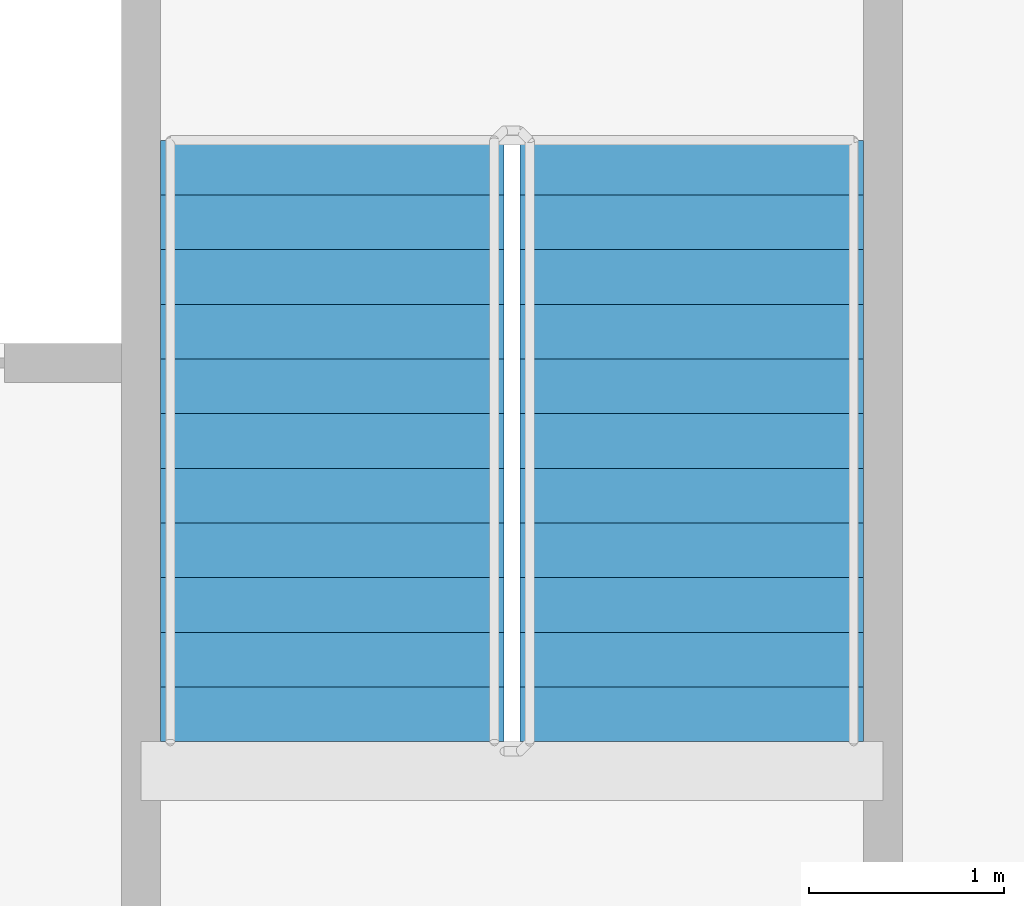
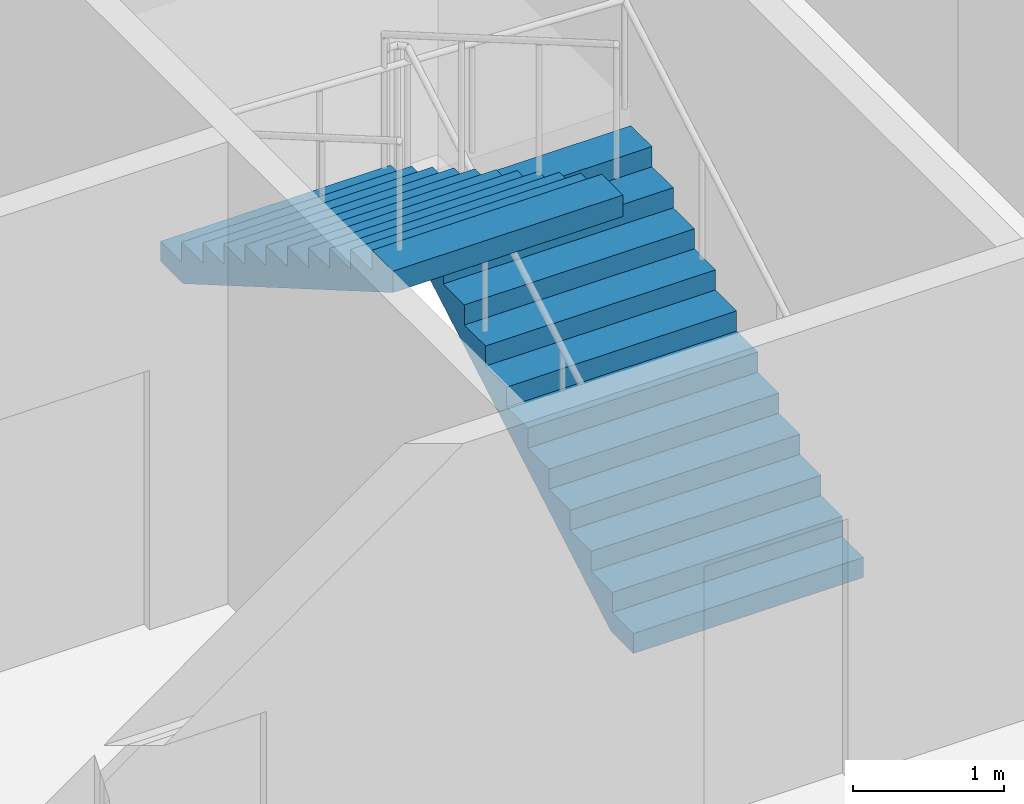
# One storey, part 17 of 22: 2 stair flights, 1 element without a shape of its own.
"""IFC4 building model written with IfcOpenShell, lengths in metres."""

from ifc_helpers import new_model, si_unit, direction, frame, origin, place, context, subcontext, project, spatial, faceted_brep, material, type_object, element, aggregate, save


model = new_model("IFC4")

# Units and contexts
model_context = context("Model", 3, precision=1e-05, world=origin(), true_north=direction((0.0, 1.0)))
body_context = subcontext(model_context, "Body", "Model", "MODEL_VIEW")
ifc_project = project(units=[si_unit("LENGTHUNIT", "METRE"), si_unit("AREAUNIT", "SQUARE_METRE"), si_unit("VOLUMEUNIT", "CUBIC_METRE"), si_unit("PLANEANGLEUNIT", "RADIAN"), si_unit("MASSUNIT", "GRAM", prefix="KILO")], contexts=[model_context])

# Site, building, storey
site_placement = place(None, origin())
site = spatial("IfcSite", under=ifc_project, at=site_placement, CompositionType="ELEMENT")
building_placement = place(site_placement, origin())
building = spatial("IfcBuilding", under=site, at=building_placement, Name="Tarsis Ring Headquarters", CompositionType="ELEMENT")
storey_placement = place(building_placement, frame((0.0, 0.0, 186.60009765625)))
storey = spatial("IfcBuildingStorey", under=building, at=storey_placement, Name="L43", CompositionType="ELEMENT", Elevation=186.60009765625)

# Stair, stair flights
ifc_material_1 = material(Name="Core stair 1760")
stair_type = type_object("IfcStairType", Name="Core stair 1760", PredefinedType="HALF_TURN_STAIR", material=ifc_material_1)
stair_placement = place(storey_placement, origin())
stair = element("IfcStair", 1, at=stair_placement, inside=storey, type_object=stair_type, Name="L43 Exit stair B", PredefinedType="HALF_TURN_STAIR")
ifc_material_2 = material(Name="Concrete C40/50", Category="concrete")
stair_flight_type = type_object("IfcStairFlightType", Name="Core stair flight 1760", PredefinedType="STRAIGHT", material=ifc_material_2)
stair_flight_1_placement = place(storey_placement, frame((5.419921875, 3.659912109375, 0.0), z_axis=(0.0, 0.0, 1.0), x_axis=(0.0, 1.0, 0.0)))
stair_flight_1 = element("IfcStairFlight", 2, at=stair_flight_1_placement, type_object=stair_flight_type, Name="Stair ST2 flight 1", NumberOfRisers=12, NumberOfTreads=11, PredefinedType="STRAIGHT", RiserHeight=0.1625, TreadLength=0.28, context=body_context, shape_type="Brep", body=[
    faceted_brep([(0.0, 0.8798828125, 0.0), (0.0, 0.8798828125, 0.16259765625), (0.280029296875, 0.8798828125, 0.16259765625), (0.280029296875, 0.8798828125, 0.324951171875), (0.56005859375, 0.8798828125, 0.324951171875), (0.56005859375, 0.8798828125, 0.487548828125), (0.840087890625, 0.8798828125, 0.487548828125), (0.840087890625, 0.8798828125, 0.64990234375), (1.1201171875, 0.8798828125, 0.64990234375), (1.1201171875, 0.8798828125, 0.8125), (1.39990234375, 0.8798828125, 0.8125), (1.39990234375, 0.8798828125, 0.97509765625), (1.679931640625, 0.8798828125, 0.97509765625), (1.679931640625, 0.8798828125, 1.137451171875), (1.9599609375, 0.8798828125, 1.137451171875), (1.9599609375, 0.8798828125, 1.300048828125), (2.239990234375, 0.8798828125, 1.300048828125), (2.239990234375, 0.8798828125, 1.46240234375), (2.52001953125, 0.8798828125, 1.46240234375), (2.52001953125, 0.8798828125, 1.625), (2.800048828125, 0.8798828125, 1.625), (2.800048828125, 0.8798828125, 1.78759765625), (3.080078125, 0.8798828125, 1.78759765625), (3.080078125, 0.8798828125, 1.6142578125), (0.298583984375, 0.8798828125, 0.0), (0.298583984375, -0.8798828125, 0.0), (3.080078125, -0.8798828125, 1.6142578125), (3.080078125, -0.8798828125, 1.78759765625), (2.800048828125, -0.8798828125, 1.78759765625), (2.800048828125, -0.8798828125, 1.625), (2.52001953125, -0.8798828125, 1.625), (2.52001953125, -0.8798828125, 1.46240234375), (2.239990234375, -0.8798828125, 1.46240234375), (2.239990234375, -0.8798828125, 1.300048828125), (1.9599609375, -0.8798828125, 1.300048828125), (1.9599609375, -0.8798828125, 1.137451171875), (1.679931640625, -0.8798828125, 1.137451171875), (1.679931640625, -0.8798828125, 0.97509765625), (1.39990234375, -0.8798828125, 0.97509765625), (1.39990234375, -0.8798828125, 0.8125), (1.1201171875, -0.8798828125, 0.8125), (1.1201171875, -0.8798828125, 0.64990234375), (0.840087890625, -0.8798828125, 0.64990234375), (0.840087890625, -0.8798828125, 0.487548828125), (0.56005859375, -0.8798828125, 0.487548828125), (0.56005859375, -0.8798828125, 0.324951171875), (0.280029296875, -0.8798828125, 0.324951171875), (0.280029296875, -0.8798828125, 0.16259765625), (0.0, -0.8798828125, 0.16259765625), (0.0, -0.8798828125, 0.0), (0.0, -0.43994140625, 0.16259765625), (0.0, -0.43994140625, 0.0), (0.0, 0.0, 0.16259765625), (0.0, 0.0, 0.0), (0.0, 0.43994140625, 0.16259765625), (0.0, 0.43994140625, 0.0), (0.280029296875, -0.43994140625, 0.16259765625), (0.280029296875, 0.0, 0.16259765625), (0.280029296875, 0.43994140625, 0.16259765625), (0.280029296875, -0.43994140625, 0.324951171875), (0.280029296875, 0.0, 0.324951171875), (0.280029296875, 0.43994140625, 0.324951171875), (0.56005859375, -0.43994140625, 0.324951171875), (0.56005859375, 0.0, 0.324951171875), (0.56005859375, 0.43994140625, 0.324951171875), (0.56005859375, -0.43994140625, 0.487548828125), (0.56005859375, 0.0, 0.487548828125), (0.56005859375, 0.43994140625, 0.487548828125), (0.840087890625, -0.43994140625, 0.487548828125), (0.840087890625, 0.0, 0.487548828125), (0.840087890625, 0.43994140625, 0.487548828125), (0.840087890625, -0.43994140625, 0.64990234375), (0.840087890625, 0.0, 0.64990234375), (0.840087890625, 0.43994140625, 0.64990234375), (1.1201171875, -0.43994140625, 0.64990234375), (1.1201171875, 0.0, 0.64990234375), (1.1201171875, 0.43994140625, 0.64990234375), (1.1201171875, -0.43994140625, 0.8125), (1.1201171875, 0.0, 0.8125), (1.1201171875, 0.43994140625, 0.8125), (1.39990234375, -0.43994140625, 0.8125), (1.39990234375, 0.0, 0.8125), (1.39990234375, 0.43994140625, 0.8125), (1.39990234375, -0.43994140625, 0.97509765625), (1.39990234375, 0.0, 0.97509765625), (1.39990234375, 0.43994140625, 0.97509765625), (1.679931640625, -0.43994140625, 0.97509765625), (1.679931640625, 0.0, 0.97509765625), (1.679931640625, 0.43994140625, 0.97509765625), (1.679931640625, -0.43994140625, 1.137451171875), (1.679931640625, 0.0, 1.137451171875), (1.679931640625, 0.43994140625, 1.137451171875), (1.9599609375, -0.43994140625, 1.137451171875), (1.9599609375, 0.0, 1.137451171875), (1.9599609375, 0.43994140625, 1.137451171875), (1.9599609375, -0.43994140625, 1.300048828125), (1.9599609375, 0.0, 1.300048828125), (1.9599609375, 0.43994140625, 1.300048828125), (2.239990234375, -0.43994140625, 1.300048828125), (2.239990234375, 0.0, 1.300048828125), (2.239990234375, 0.43994140625, 1.300048828125), (2.239990234375, -0.43994140625, 1.46240234375), (2.239990234375, 0.0, 1.46240234375), (2.239990234375, 0.43994140625, 1.46240234375), (2.52001953125, -0.43994140625, 1.46240234375), (2.52001953125, 0.0, 1.46240234375), (2.52001953125, 0.43994140625, 1.46240234375), (2.52001953125, -0.43994140625, 1.625), (2.52001953125, 0.0, 1.625), (2.52001953125, 0.43994140625, 1.625), (2.800048828125, -0.43994140625, 1.625), (2.800048828125, 0.0, 1.625), (2.800048828125, 0.43994140625, 1.625), (2.800048828125, -0.43994140625, 1.78759765625), (2.800048828125, 0.0, 1.78759765625), (2.800048828125, 0.43994140625, 1.78759765625), (3.080078125, -0.43994140625, 1.78759765625), (3.080078125, 0.0, 1.78759765625), (3.080078125, 0.43994140625, 1.78759765625), (3.080078125, -0.43994140625, 1.6142578125), (3.080078125, 0.0, 1.6142578125), (3.080078125, 0.43994140625, 1.6142578125), (0.298583984375, -0.43994140625, 0.0), (0.298583984375, 0.0, 0.0), (0.298583984375, 0.43994140625, 0.0)], [[[0, 1, 2, 3, 4, 5, 6, 7, 8, 9, 10, 11, 12, 13, 14, 15, 16, 17, 18, 19, 20, 21, 22, 23, 24]], [[25, 26, 27, 28, 29, 30, 31, 32, 33, 34, 35, 36, 37, 38, 39, 40, 41, 42, 43, 44, 45, 46, 47, 48, 49]], [[49, 48, 50, 51]], [[51, 50, 52, 53]], [[53, 52, 54, 55]], [[55, 54, 1, 0]], [[48, 47, 56, 50]], [[50, 56, 57, 52]], [[52, 57, 58, 54]], [[54, 58, 2, 1]], [[47, 46, 59, 56]], [[56, 59, 60, 57]], [[57, 60, 61, 58]], [[58, 61, 3, 2]], [[46, 45, 62, 59]], [[59, 62, 63, 60]], [[60, 63, 64, 61]], [[61, 64, 4, 3]], [[45, 44, 65, 62]], [[62, 65, 66, 63]], [[63, 66, 67, 64]], [[64, 67, 5, 4]], [[44, 43, 68, 65]], [[65, 68, 69, 66]], [[66, 69, 70, 67]], [[67, 70, 6, 5]], [[43, 42, 71, 68]], [[68, 71, 72, 69]], [[69, 72, 73, 70]], [[70, 73, 7, 6]], [[42, 41, 74, 71]], [[71, 74, 75, 72]], [[72, 75, 76, 73]], [[73, 76, 8, 7]], [[41, 40, 77, 74]], [[74, 77, 78, 75]], [[75, 78, 79, 76]], [[76, 79, 9, 8]], [[40, 39, 80, 77]], [[77, 80, 81, 78]], [[78, 81, 82, 79]], [[79, 82, 10, 9]], [[39, 38, 83, 80]], [[80, 83, 84, 81]], [[81, 84, 85, 82]], [[82, 85, 11, 10]], [[38, 37, 86, 83]], [[83, 86, 87, 84]], [[84, 87, 88, 85]], [[85, 88, 12, 11]], [[37, 36, 89, 86]], [[86, 89, 90, 87]], [[87, 90, 91, 88]], [[88, 91, 13, 12]], [[36, 35, 92, 89]], [[89, 92, 93, 90]], [[90, 93, 94, 91]], [[91, 94, 14, 13]], [[35, 34, 95, 92]], [[92, 95, 96, 93]], [[93, 96, 97, 94]], [[94, 97, 15, 14]], [[34, 33, 98, 95]], [[95, 98, 99, 96]], [[96, 99, 100, 97]], [[97, 100, 16, 15]], [[33, 32, 101, 98]], [[98, 101, 102, 99]], [[99, 102, 103, 100]], [[100, 103, 17, 16]], [[32, 31, 104, 101]], [[101, 104, 105, 102]], [[102, 105, 106, 103]], [[103, 106, 18, 17]], [[31, 30, 107, 104]], [[104, 107, 108, 105]], [[105, 108, 109, 106]], [[106, 109, 19, 18]], [[30, 29, 110, 107]], [[107, 110, 111, 108]], [[108, 111, 112, 109]], [[109, 112, 20, 19]], [[29, 28, 113, 110]], [[110, 113, 114, 111]], [[111, 114, 115, 112]], [[112, 115, 21, 20]], [[28, 27, 116, 113]], [[113, 116, 117, 114]], [[114, 117, 118, 115]], [[115, 118, 22, 21]], [[27, 26, 119, 116]], [[116, 119, 120, 117]], [[117, 120, 121, 118]], [[118, 121, 23, 22]], [[26, 25, 122, 119]], [[119, 122, 123, 120]], [[120, 123, 124, 121]], [[121, 124, 24, 23]], [[25, 49, 51, 122]], [[122, 51, 53, 123]], [[123, 53, 55, 124]], [[124, 55, 0, 24]]]),
])
stair_flight_2_placement = place(storey_placement, frame((3.580078125, 6.739990234375, 1.949951171875), z_axis=(0.0, 0.0, 1.0), x_axis=(0.0, -1.0, 0.0)))
stair_flight_2 = element("IfcStairFlight", 3, at=stair_flight_2_placement, type_object=stair_flight_type, Name="Stair ST2 flight 2", NumberOfRisers=12, NumberOfTreads=11, PredefinedType="STRAIGHT", RiserHeight=0.1625, TreadLength=0.28, context=body_context, shape_type="Brep", body=[
    faceted_brep([(0.0, 0.8798828125, 0.0), (0.0, 0.8798828125, 0.16259765625), (0.280029296875, 0.8798828125, 0.16259765625), (0.280029296875, 0.8798828125, 0.324951171875), (0.56005859375, 0.8798828125, 0.324951171875), (0.56005859375, 0.8798828125, 0.487548828125), (0.840087890625, 0.8798828125, 0.487548828125), (0.840087890625, 0.8798828125, 0.64990234375), (1.1201171875, 0.8798828125, 0.64990234375), (1.1201171875, 0.8798828125, 0.8125), (1.39990234375, 0.8798828125, 0.8125), (1.39990234375, 0.8798828125, 0.97509765625), (1.679931640625, 0.8798828125, 0.97509765625), (1.679931640625, 0.8798828125, 1.137451171875), (1.9599609375, 0.8798828125, 1.137451171875), (1.9599609375, 0.8798828125, 1.300048828125), (2.239990234375, 0.8798828125, 1.300048828125), (2.239990234375, 0.8798828125, 1.46240234375), (2.52001953125, 0.8798828125, 1.46240234375), (2.52001953125, 0.8798828125, 1.625), (2.800048828125, 0.8798828125, 1.625), (2.800048828125, 0.8798828125, 1.78759765625), (3.080078125, 0.8798828125, 1.78759765625), (3.080078125, 0.8798828125, 1.6142578125), (0.298583984375, 0.8798828125, 0.0), (0.298583984375, -0.8798828125, 0.0), (3.080078125, -0.8798828125, 1.6142578125), (3.080078125, -0.8798828125, 1.78759765625), (2.800048828125, -0.8798828125, 1.78759765625), (2.800048828125, -0.8798828125, 1.625), (2.52001953125, -0.8798828125, 1.625), (2.52001953125, -0.8798828125, 1.46240234375), (2.239990234375, -0.8798828125, 1.46240234375), (2.239990234375, -0.8798828125, 1.300048828125), (1.9599609375, -0.8798828125, 1.300048828125), (1.9599609375, -0.8798828125, 1.137451171875), (1.679931640625, -0.8798828125, 1.137451171875), (1.679931640625, -0.8798828125, 0.97509765625), (1.39990234375, -0.8798828125, 0.97509765625), (1.39990234375, -0.8798828125, 0.8125), (1.1201171875, -0.8798828125, 0.8125), (1.1201171875, -0.8798828125, 0.64990234375), (0.840087890625, -0.8798828125, 0.64990234375), (0.840087890625, -0.8798828125, 0.487548828125), (0.56005859375, -0.8798828125, 0.487548828125), (0.56005859375, -0.8798828125, 0.324951171875), (0.280029296875, -0.8798828125, 0.324951171875), (0.280029296875, -0.8798828125, 0.16259765625), (0.0, -0.8798828125, 0.16259765625), (0.0, -0.8798828125, 0.0), (0.0, -0.43994140625, 0.16259765625), (0.0, -0.43994140625, 0.0), (0.0, 0.0, 0.16259765625), (0.0, 0.0, 0.0), (0.0, 0.43994140625, 0.16259765625), (0.0, 0.43994140625, 0.0), (0.280029296875, -0.43994140625, 0.16259765625), (0.280029296875, 0.0, 0.16259765625), (0.280029296875, 0.43994140625, 0.16259765625), (0.280029296875, -0.43994140625, 0.324951171875), (0.280029296875, 0.0, 0.324951171875), (0.280029296875, 0.43994140625, 0.324951171875), (0.56005859375, -0.43994140625, 0.324951171875), (0.56005859375, 0.0, 0.324951171875), (0.56005859375, 0.43994140625, 0.324951171875), (0.56005859375, -0.43994140625, 0.487548828125), (0.56005859375, 0.0, 0.487548828125), (0.56005859375, 0.43994140625, 0.487548828125), (0.840087890625, -0.43994140625, 0.487548828125), (0.840087890625, 0.0, 0.487548828125), (0.840087890625, 0.43994140625, 0.487548828125), (0.840087890625, -0.43994140625, 0.64990234375), (0.840087890625, 0.0, 0.64990234375), (0.840087890625, 0.43994140625, 0.64990234375), (1.1201171875, -0.43994140625, 0.64990234375), (1.1201171875, 0.0, 0.64990234375), (1.1201171875, 0.43994140625, 0.64990234375), (1.1201171875, -0.43994140625, 0.8125), (1.1201171875, 0.0, 0.8125), (1.1201171875, 0.43994140625, 0.8125), (1.39990234375, -0.43994140625, 0.8125), (1.39990234375, 0.0, 0.8125), (1.39990234375, 0.43994140625, 0.8125), (1.39990234375, -0.43994140625, 0.97509765625), (1.39990234375, 0.0, 0.97509765625), (1.39990234375, 0.43994140625, 0.97509765625), (1.679931640625, -0.43994140625, 0.97509765625), (1.679931640625, 0.0, 0.97509765625), (1.679931640625, 0.43994140625, 0.97509765625), (1.679931640625, -0.43994140625, 1.137451171875), (1.679931640625, 0.0, 1.137451171875), (1.679931640625, 0.43994140625, 1.137451171875), (1.9599609375, -0.43994140625, 1.137451171875), (1.9599609375, 0.0, 1.137451171875), (1.9599609375, 0.43994140625, 1.137451171875), (1.9599609375, -0.43994140625, 1.300048828125), (1.9599609375, 0.0, 1.300048828125), (1.9599609375, 0.43994140625, 1.300048828125), (2.239990234375, -0.43994140625, 1.300048828125), (2.239990234375, 0.0, 1.300048828125), (2.239990234375, 0.43994140625, 1.300048828125), (2.239990234375, -0.43994140625, 1.46240234375), (2.239990234375, 0.0, 1.46240234375), (2.239990234375, 0.43994140625, 1.46240234375), (2.52001953125, -0.43994140625, 1.46240234375), (2.52001953125, 0.0, 1.46240234375), (2.52001953125, 0.43994140625, 1.46240234375), (2.52001953125, -0.43994140625, 1.625), (2.52001953125, 0.0, 1.625), (2.52001953125, 0.43994140625, 1.625), (2.800048828125, -0.43994140625, 1.625), (2.800048828125, 0.0, 1.625), (2.800048828125, 0.43994140625, 1.625), (2.800048828125, -0.43994140625, 1.78759765625), (2.800048828125, 0.0, 1.78759765625), (2.800048828125, 0.43994140625, 1.78759765625), (3.080078125, -0.43994140625, 1.78759765625), (3.080078125, 0.0, 1.78759765625), (3.080078125, 0.43994140625, 1.78759765625), (3.080078125, -0.43994140625, 1.6142578125), (3.080078125, 0.0, 1.6142578125), (3.080078125, 0.43994140625, 1.6142578125), (0.298583984375, -0.43994140625, 0.0), (0.298583984375, 0.0, 0.0), (0.298583984375, 0.43994140625, 0.0)], [[[0, 1, 2, 3, 4, 5, 6, 7, 8, 9, 10, 11, 12, 13, 14, 15, 16, 17, 18, 19, 20, 21, 22, 23, 24]], [[25, 26, 27, 28, 29, 30, 31, 32, 33, 34, 35, 36, 37, 38, 39, 40, 41, 42, 43, 44, 45, 46, 47, 48, 49]], [[49, 48, 50, 51]], [[51, 50, 52, 53]], [[53, 52, 54, 55]], [[55, 54, 1, 0]], [[48, 47, 56, 50]], [[50, 56, 57, 52]], [[52, 57, 58, 54]], [[54, 58, 2, 1]], [[47, 46, 59, 56]], [[56, 59, 60, 57]], [[57, 60, 61, 58]], [[58, 61, 3, 2]], [[46, 45, 62, 59]], [[59, 62, 63, 60]], [[60, 63, 64, 61]], [[61, 64, 4, 3]], [[45, 44, 65, 62]], [[62, 65, 66, 63]], [[63, 66, 67, 64]], [[64, 67, 5, 4]], [[44, 43, 68, 65]], [[65, 68, 69, 66]], [[66, 69, 70, 67]], [[67, 70, 6, 5]], [[43, 42, 71, 68]], [[68, 71, 72, 69]], [[69, 72, 73, 70]], [[70, 73, 7, 6]], [[42, 41, 74, 71]], [[71, 74, 75, 72]], [[72, 75, 76, 73]], [[73, 76, 8, 7]], [[41, 40, 77, 74]], [[74, 77, 78, 75]], [[75, 78, 79, 76]], [[76, 79, 9, 8]], [[40, 39, 80, 77]], [[77, 80, 81, 78]], [[78, 81, 82, 79]], [[79, 82, 10, 9]], [[39, 38, 83, 80]], [[80, 83, 84, 81]], [[81, 84, 85, 82]], [[82, 85, 11, 10]], [[38, 37, 86, 83]], [[83, 86, 87, 84]], [[84, 87, 88, 85]], [[85, 88, 12, 11]], [[37, 36, 89, 86]], [[86, 89, 90, 87]], [[87, 90, 91, 88]], [[88, 91, 13, 12]], [[36, 35, 92, 89]], [[89, 92, 93, 90]], [[90, 93, 94, 91]], [[91, 94, 14, 13]], [[35, 34, 95, 92]], [[92, 95, 96, 93]], [[93, 96, 97, 94]], [[94, 97, 15, 14]], [[34, 33, 98, 95]], [[95, 98, 99, 96]], [[96, 99, 100, 97]], [[97, 100, 16, 15]], [[33, 32, 101, 98]], [[98, 101, 102, 99]], [[99, 102, 103, 100]], [[100, 103, 17, 16]], [[32, 31, 104, 101]], [[101, 104, 105, 102]], [[102, 105, 106, 103]], [[103, 106, 18, 17]], [[31, 30, 107, 104]], [[104, 107, 108, 105]], [[105, 108, 109, 106]], [[106, 109, 19, 18]], [[30, 29, 110, 107]], [[107, 110, 111, 108]], [[108, 111, 112, 109]], [[109, 112, 20, 19]], [[29, 28, 113, 110]], [[110, 113, 114, 111]], [[111, 114, 115, 112]], [[112, 115, 21, 20]], [[28, 27, 116, 113]], [[113, 116, 117, 114]], [[114, 117, 118, 115]], [[115, 118, 22, 21]], [[27, 26, 119, 116]], [[116, 119, 120, 117]], [[117, 120, 121, 118]], [[118, 121, 23, 22]], [[26, 25, 122, 119]], [[119, 122, 123, 120]], [[120, 123, 124, 121]], [[121, 124, 24, 23]], [[25, 49, 51, 122]], [[122, 51, 53, 123]], [[123, 53, 55, 124]], [[124, 55, 0, 24]]]),
])
aggregate(stair, [stair_flight_1, stair_flight_2])

save(model, "model.ifc")
